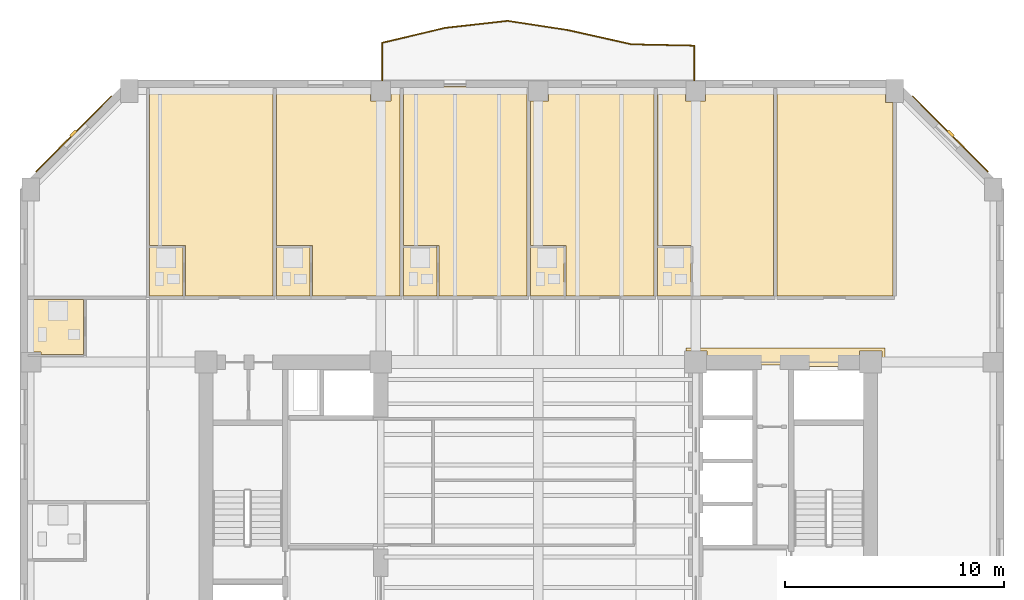
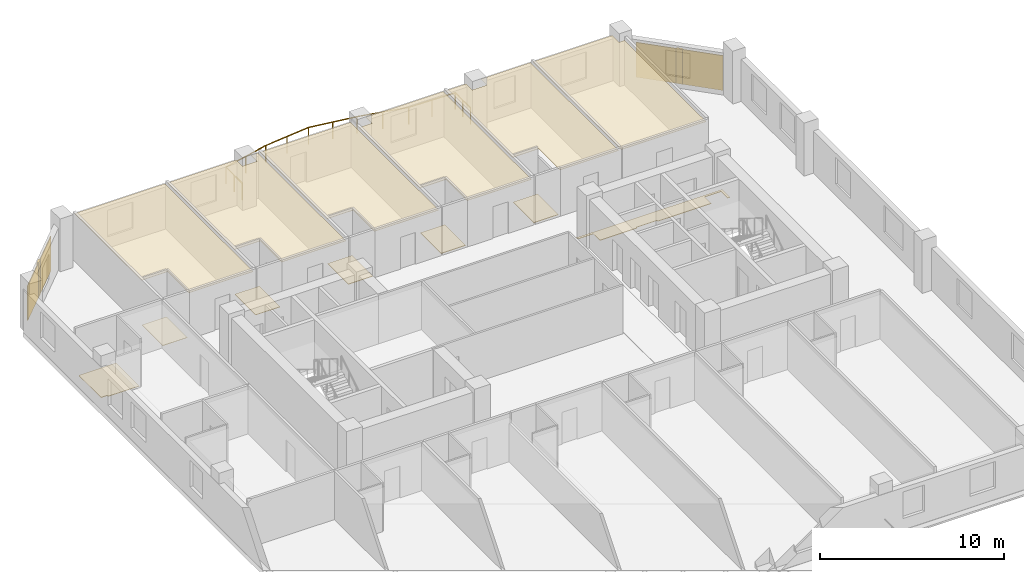
# One storey, part 10 of 11: 15 coverings, 2 shading devices, 1 railing.
"""IFC4 building model written with IfcOpenShell, lengths in metres."""

from ifc_helpers import new_model, si_unit, direction, frame, origin, origin_2d, place, context, subcontext, project, spatial, polyline, rectangle, circle, outline, extrude, material, layer, layer_set, type_object, element, save


model = new_model("IFC4")

# Units and contexts
model_context = context("Model", 3, precision=1e-05, world=origin(), true_north=direction((0.0, 1.0)))
body_context = subcontext(model_context, "Body", "Model", "MODEL_VIEW")
ifc_project = project(units=[si_unit("LENGTHUNIT", "METRE"), si_unit("AREAUNIT", "SQUARE_METRE"), si_unit("VOLUMEUNIT", "CUBIC_METRE"), si_unit("PLANEANGLEUNIT", "RADIAN"), si_unit("MASSUNIT", "GRAM", prefix="KILO")], contexts=[model_context])

# Site, building, storey
site_placement = place(None, origin())
site = spatial("IfcSite", under=ifc_project, at=site_placement, CompositionType="ELEMENT")
building_placement = place(site_placement, origin())
building = spatial("IfcBuilding", under=site, at=building_placement, Name="Kranthara Brick Stack", CompositionType="ELEMENT")
storey_placement = place(building_placement, frame((0.0, 0.0, 134.300048828125)))
storey = spatial("IfcBuildingStorey", under=building, at=storey_placement, Name="L33", CompositionType="ELEMENT", Elevation=134.300048828125)

# Coverings
ifc_material_1 = material(Name="Perforated mineral-fibre acoustic ceiling tile", Category="other")
ifc_layer_1 = layer(ifc_material_1, 0.02490234375)
ifc_layer_set_1 = layer_set([ifc_layer_1], Name="Perforated mineral-fibre acoustic ceiling tile")
covering_type_1 = type_object("IfcCoveringType", Name="COV-CEIL-ACOUSTIC", PredefinedType="CEILING", material=ifc_layer_set_1)
covering_1_placement = place(storey_placement, frame((0.0, 0.0, 2.929931640625)))
element("IfcCovering", 1, at=covering_1_placement, inside=storey, type_object=covering_type_1, Name="L33 Room L33-07 Hotel Guest Room Acoustic Ceiling", PredefinedType="CEILING", context=body_context, shape_type="SweptSolid", body=[
    extrude(outline(polyline([(11.860107421875, 36.6298828125), (15.8759765625, 36.6298828125), (15.8759765625, 46.199951171875), (10.22998046875, 46.199951171875), (10.22998046875, 38.93994140625), (11.860107421875, 38.93994140625), (11.860107421875, 36.6298828125)])), origin(), (0.0, 0.0, 1.0), 0.02490234375),
])
covering_2_placement = place(storey_placement, frame((0.0, 0.0, 2.929931640625)))
element("IfcCovering", 2, at=covering_2_placement, inside=storey, type_object=covering_type_1, Name="L33 Room L33-08 Hotel Guest Room Acoustic Ceiling", PredefinedType="CEILING", context=body_context, shape_type="SweptSolid", body=[
    extrude(outline(polyline([(21.680908203125, 46.199951171875), (21.680908203125, 36.6298828125), (17.666015625, 36.6298828125), (17.666015625, 38.93994140625), (16.035888671875, 38.93994140625), (16.035888671875, 46.199951171875), (20.340087890625, 46.199951171875), (20.340087890625, 45.5400390625), (21.260009765625, 45.5400390625), (21.260009765625, 46.199951171875), (21.680908203125, 46.199951171875)])), origin(), (0.0, 0.0, 1.0), 0.02490234375),
])
covering_3_placement = place(storey_placement, frame((0.0, 0.0, 2.929931640625)))
element("IfcCovering", 3, at=covering_3_placement, inside=storey, type_object=covering_type_1, Name="L33 Room L33-09 Hotel Guest Room Acoustic Ceiling", PredefinedType="CEILING", context=body_context, shape_type="SweptSolid", body=[
    extrude(outline(polyline([(23.470947265625, 36.6298828125), (27.486083984375, 36.6298828125), (27.486083984375, 46.199951171875), (21.841064453125, 46.199951171875), (21.841064453125, 38.93994140625), (23.470947265625, 38.93994140625), (23.470947265625, 36.6298828125)])), origin(), (0.0, 0.0, 1.0), 0.02490234375),
])
covering_4_placement = place(storey_placement, frame((0.0, 0.0, 2.929931640625)))
element("IfcCovering", 4, at=covering_4_placement, inside=storey, type_object=covering_type_1, Name="L33 Room L33-10 Hotel Guest Room Acoustic Ceiling", PredefinedType="CEILING", context=body_context, shape_type="SweptSolid", body=[
    extrude(outline(polyline([(33.2919921875, 46.199951171875), (33.2919921875, 36.6298828125), (29.27587890625, 36.6298828125), (29.27587890625, 38.93994140625), (27.64599609375, 38.93994140625), (27.64599609375, 45.5400390625), (28.4599609375, 45.5400390625), (28.4599609375, 46.199951171875), (33.2919921875, 46.199951171875)])), origin(), (0.0, 0.0, 1.0), 0.02490234375),
])
covering_5_placement = place(storey_placement, frame((0.0, 0.0, 2.929931640625)))
element("IfcCovering", 5, at=covering_5_placement, inside=storey, type_object=covering_type_1, Name="L33 Room L33-11 Hotel Guest Room Acoustic Ceiling", PredefinedType="CEILING", context=body_context, shape_type="SweptSolid", body=[
    extrude(outline(polyline([(38.756103515625, 46.199951171875), (38.756103515625, 36.6298828125), (35.08203125, 36.6298828125), (35.08203125, 38.93994140625), (33.451904296875, 38.93994140625), (33.451904296875, 46.199951171875), (34.739990234375, 46.199951171875), (34.739990234375, 45.5400390625), (35.659912109375, 45.5400390625), (35.659912109375, 46.199951171875), (38.756103515625, 46.199951171875)])), origin(), (0.0, 0.0, 1.0), 0.02490234375),
])
covering_6_placement = place(storey_placement, frame((0.0, 0.0, 2.929931640625)))
element("IfcCovering", 6, at=covering_6_placement, inside=storey, type_object=covering_type_1, Name="L33 L33 Guest Sky Lounge 12 Acoustic Ceiling", PredefinedType="CEILING", context=body_context, shape_type="SweptSolid", body=[
    extrude(outline(polyline([(44.219970703125, 36.6298828125), (38.916015625, 36.6298828125), (38.916015625, 46.199951171875), (43.889892578125, 46.199951171875), (43.889892578125, 45.465087890625), (44.219970703125, 45.465087890625), (44.219970703125, 36.6298828125)])), origin(), (0.0, 0.0, 1.0), 0.02490234375),
])
ifc_material_2 = material(Name="Warm buff kiln-fired brick slip rainscreen", Category="masonry")
ifc_layer_2 = layer(ifc_material_2, 0.044921875)
ifc_layer_set_2 = layer_set([ifc_layer_2], Name="Warm buff kiln-fired brick slip rainscreen")
covering_type_2 = type_object("IfcCoveringType", Name="COV-CLAD-BRICK", PredefinedType="CLADDING", material=ifc_layer_set_2)
for number, where, z_axis, x_axis, name in (
    (7, (6.759521484375, 44.040283203125, 0.0498046875), (0.0, 0.0, 1.0), (0.707106781187, 0.707106781187, 0.0), "L33 Chamfer Brick Rainscreen Cladding NW"),
    (8, (46.84033203125, 44.040283203125, 0.0498046875), (0.0, 0.0, 1.0), (0.707106781187, -0.707106781187, 0.0), "L33 Chamfer Brick Rainscreen Cladding NE"),
):
    element("IfcCovering", number, at=place(storey_placement, frame(where, z_axis=z_axis, x_axis=x_axis)), inside=storey, type_object=covering_type_2, Name=name, PredefinedType="CLADDING", context=body_context, shape_type="SweptSolid", body=[
        extrude(rectangle(XDim=4.89306640625, YDim=0.044921875, at=origin_2d()), origin(), (0.0, 0.0, 1.0), 2.300048828125),
    ])
ifc_material_3 = material(Name="Honed terrazzo and porcelain floor finish", Category="stone")
ifc_layer_3 = layer(ifc_material_3, 0.030029296875)
ifc_layer_set_3 = layer_set([ifc_layer_3], Name="Honed terrazzo and porcelain floor finish")
covering_type_3 = type_object("IfcCoveringType", Name="COV-FLOR-STONE", PredefinedType="FLOORING", material=ifc_layer_set_3)
covering_7_placement = place(storey_placement, origin())
element("IfcCovering", 9, at=covering_7_placement, inside=storey, type_object=covering_type_3, Name="L33 Lift Lobby Stone Flooring", PredefinedType="FLOORING", context=body_context, shape_type="SweptSolid", body=[
    extrude(outline(polyline([(43.7099609375, 33.39990234375), (43.7099609375, 34.110107421875), (42.68994140625, 34.110107421875), (42.68994140625, 33.39990234375), (39.35009765625, 33.39990234375), (39.35009765625, 33.47998046875), (38.050048828125, 33.47998046875), (38.050048828125, 33.39990234375), (35.7099609375, 33.39990234375), (35.7099609375, 34.110107421875), (34.75, 34.110107421875), (34.75, 34.25), (43.85009765625, 34.25), (43.85009765625, 33.39990234375), (43.7099609375, 33.39990234375)])), origin(), (0.0, 0.0, 1.0), 0.030029296875),
])
covering_8_placement = place(storey_placement, origin())
element("IfcCovering", 10, at=covering_8_placement, inside=storey, type_object=covering_type_3, Name="L33 Wet Room Porcelain Flooring", PredefinedType="FLOORING", context=body_context, shape_type="SweptSolid", body=[
    extrude(outline(polyline([(10.22998046875, 36.6298828125), (10.22998046875, 38.8798828125), (11.760009765625, 38.8798828125), (11.760009765625, 36.6298828125), (10.22998046875, 36.6298828125)])), origin(), (0.0, 0.0, 1.0), 0.030029296875),
])
covering_9_placement = place(storey_placement, origin())
element("IfcCovering", 11, at=covering_9_placement, inside=storey, type_object=covering_type_3, Name="L33 Wet Room Porcelain Flooring", PredefinedType="FLOORING", context=body_context, shape_type="SweptSolid", body=[
    extrude(outline(polyline([(16.035888671875, 36.6298828125), (16.035888671875, 38.8798828125), (17.56591796875, 38.8798828125), (17.56591796875, 36.6298828125), (16.035888671875, 36.6298828125)])), origin(), (0.0, 0.0, 1.0), 0.030029296875),
])
covering_10_placement = place(storey_placement, origin())
element("IfcCovering", 12, at=covering_10_placement, inside=storey, type_object=covering_type_3, Name="L33 Wet Room Porcelain Flooring", PredefinedType="FLOORING", context=body_context, shape_type="SweptSolid", body=[
    extrude(outline(polyline([(21.841064453125, 36.6298828125), (21.841064453125, 38.8798828125), (23.37109375, 38.8798828125), (23.37109375, 36.6298828125), (21.841064453125, 36.6298828125)])), origin(), (0.0, 0.0, 1.0), 0.030029296875),
])
covering_11_placement = place(storey_placement, origin())
element("IfcCovering", 13, at=covering_11_placement, inside=storey, type_object=covering_type_3, Name="L33 Wet Room Porcelain Flooring", PredefinedType="FLOORING", context=body_context, shape_type="SweptSolid", body=[
    extrude(outline(polyline([(27.64599609375, 36.6298828125), (27.64599609375, 38.8798828125), (29.176025390625, 38.8798828125), (29.176025390625, 36.6298828125), (27.64599609375, 36.6298828125)])), origin(), (0.0, 0.0, 1.0), 0.030029296875),
])
covering_12_placement = place(storey_placement, origin())
element("IfcCovering", 14, at=covering_12_placement, inside=storey, type_object=covering_type_3, Name="L33 Wet Room Porcelain Flooring", PredefinedType="FLOORING", context=body_context, shape_type="SweptSolid", body=[
    extrude(outline(polyline([(33.451904296875, 36.6298828125), (33.451904296875, 38.8798828125), (34.98193359375, 38.8798828125), (34.98193359375, 36.6298828125), (33.451904296875, 36.6298828125)])), origin(), (0.0, 0.0, 1.0), 0.030029296875),
])
covering_13_placement = place(storey_placement, origin())
element("IfcCovering", 15, at=covering_13_placement, inside=storey, type_object=covering_type_3, Name="L33 Wet Room Porcelain Flooring", PredefinedType="FLOORING", context=body_context, shape_type="SweptSolid", body=[
    extrude(outline(polyline([(7.2099609375, 36.469970703125), (7.2099609375, 33.9599609375), (5.260009765625, 33.9599609375), (5.260009765625, 34.06005859375), (4.8701171875, 34.06005859375), (4.8701171875, 36.469970703125), (7.2099609375, 36.469970703125)])), origin(), (0.0, 0.0, 1.0), 0.030029296875),
])

# Railing
ifc_material_4 = material(Name="Bronze anodised aluminium and laminated glass balustrade", Category="aluminium")
railing_type = type_object("IfcRailingType", Name="RL-BALC-1120", PredefinedType="BALUSTRADE", material=ifc_material_4)
railing_placement = place(storey_placement, frame((20.860107421875, 46.43994140625, 0.0)))
element("IfcRailing", 16, at=railing_placement, inside=storey, type_object=railing_type, Name="L33 North Rippling Balcony Balustrade", PredefinedType="BALUSTRADE", context=body_context, shape_type="SweptSolid", body=[
    extrude(circle(Radius=0.02392578125, at=origin_2d()), frame((0.0, 0.0, 1.09619140625), z_axis=(0.0, 1.0, 0.0), x_axis=(-1.0, 0.0, 0.0)), (0.0, 0.0, 1.0), 1.765625),
    extrude(circle(Radius=0.02392578125, at=origin_2d()), frame((0.0, 1.765625, 1.09619140625), z_axis=(0.972929130517, 0.231103671521, 0.0), x_axis=(-0.231103671521, 0.972929130517, 0.0)), (0.0, 0.0, 1.0), 2.958984375),
    extrude(circle(Radius=0.02392578125, at=origin_2d()), frame((2.87890625, 2.449462890625, 1.09619140625), z_axis=(0.993817509362, 0.111025934288, 0.0), x_axis=(-0.111025934288, 0.993817509362, 0.0)), (0.0, 0.0, 1.0), 2.885009765625),
    extrude(circle(Radius=0.02392578125, at=origin_2d()), frame((5.74609375, 2.769775390625, 1.09619140625), z_axis=(0.988453820893, -0.151522420657, 0.0), x_axis=(0.151522420657, 0.988453820893, 0.0)), (0.0, 0.0, 1.0), 2.813232421875),
    extrude(circle(Radius=0.02392578125, at=origin_2d()), frame((8.52685546875, 2.343505859375, 1.09619140625), z_axis=(0.975765773416, -0.218817630527, 0.0), x_axis=(0.218817630527, 0.975765773416, 0.0)), (0.0, 0.0, 1.0), 2.9443359375),
    extrude(circle(Radius=0.02392578125, at=origin_2d()), frame((11.39990234375, 1.69921875, 1.09619140625), z_axis=(0.999777282643, -0.02110414915, 0.0), x_axis=(0.02110414915, 0.999777282643, 0.0)), (0.0, 0.0, 1.0), 2.880615234375),
    extrude(circle(Radius=0.02392578125, at=origin_2d()), frame((14.27978515625, 1.638427734375, 1.09619140625), z_axis=(0.0, -1.0, 0.0), x_axis=(1.0, 0.0, 0.0)), (0.0, 0.0, 1.0), 1.638427734375),
    extrude(circle(Radius=0.02099609375, at=origin_2d()), origin(), (0.0, 0.0, 1.0), 1.072021484375),
    extrude(circle(Radius=0.02099609375, at=origin_2d()), frame((0.0, 0.8828125, 0.0)), (0.0, 0.0, 1.0), 1.072021484375),
    extrude(circle(Radius=0.02099609375, at=origin_2d()), frame((0.0, 1.765625, 0.0)), (0.0, 0.0, 1.0), 1.072021484375),
    extrude(circle(Radius=0.02099609375, at=origin_2d()), frame((1.439453125, 2.107421875, 0.0)), (0.0, 0.0, 1.0), 1.072021484375),
    extrude(circle(Radius=0.02099609375, at=origin_2d()), frame((2.87890625, 2.449462890625, 0.0)), (0.0, 0.0, 1.0), 1.072021484375),
    extrude(circle(Radius=0.02099609375, at=origin_2d()), frame((4.3125, 2.609619140625, 0.0)), (0.0, 0.0, 1.0), 1.072021484375),
    extrude(circle(Radius=0.02099609375, at=origin_2d()), frame((5.74609375, 2.769775390625, 0.0)), (0.0, 0.0, 1.0), 1.072021484375),
    extrude(circle(Radius=0.02099609375, at=origin_2d()), frame((7.136474609375, 2.556640625, 0.0)), (0.0, 0.0, 1.0), 1.072021484375),
    extrude(circle(Radius=0.02099609375, at=origin_2d()), frame((8.52685546875, 2.343505859375, 0.0)), (0.0, 0.0, 1.0), 1.072021484375),
    extrude(circle(Radius=0.02099609375, at=origin_2d()), frame((9.96337890625, 2.021484375, 0.0)), (0.0, 0.0, 1.0), 1.072021484375),
    extrude(circle(Radius=0.02099609375, at=origin_2d()), frame((11.39990234375, 1.69921875, 0.0)), (0.0, 0.0, 1.0), 1.072021484375),
    extrude(circle(Radius=0.02099609375, at=origin_2d()), frame((12.83984375, 1.6689453125, 0.0)), (0.0, 0.0, 1.0), 1.072021484375),
    extrude(circle(Radius=0.02099609375, at=origin_2d()), frame((14.27978515625, 1.638427734375, 0.0)), (0.0, 0.0, 1.0), 1.072021484375),
    extrude(circle(Radius=0.02099609375, at=origin_2d()), frame((14.27978515625, 0.8193359375, 0.0)), (0.0, 0.0, 1.0), 1.072021484375),
    extrude(circle(Radius=0.02099609375, at=origin_2d()), frame((14.27978515625, 0.0, 0.0)), (0.0, 0.0, 1.0), 1.072021484375),
])

# Shading devices
ifc_material_5 = material(Name="Kiln-fired terracotta aerodynamic wind fin", Category="masonry")
shading_device_type = type_object("IfcShadingDeviceType", Name="SHD-BAFFLE-CORNER", PredefinedType="SHUTTER", material=ifc_material_5)
for number, where, z_axis, x_axis, name in (
    (17, (6.73828125, 44.0615234375, 0.0498046875), (0.0, 0.0, 1.0), (0.707106781187, 0.707106781187, 0.0), "L33 Chamfer Wind-Baffle Fin NW"),
    (18, (46.861572265625, 44.0615234375, 0.0498046875), (0.0, 0.0, 1.0), (0.707106781187, -0.707106781187, 0.0), "L33 Chamfer Wind-Baffle Fin NE"),
):
    element("IfcShadingDevice", number, at=place(storey_placement, frame(where, z_axis=z_axis, x_axis=x_axis)), inside=storey, type_object=shading_device_type, Name=name, PredefinedType="SHUTTER", context=body_context, shape_type="SweptSolid", body=[
        extrude(rectangle(XDim=0.35009765625, YDim=0.1201171875, at=origin_2d()), origin(), (0.0, 0.0, 1.0), 2.300048828125),
    ])

save(model, "model.ifc")
